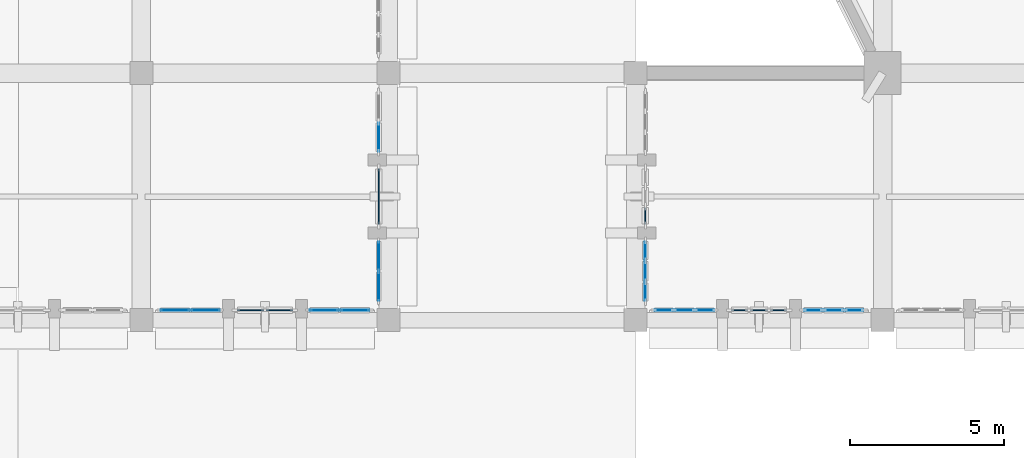
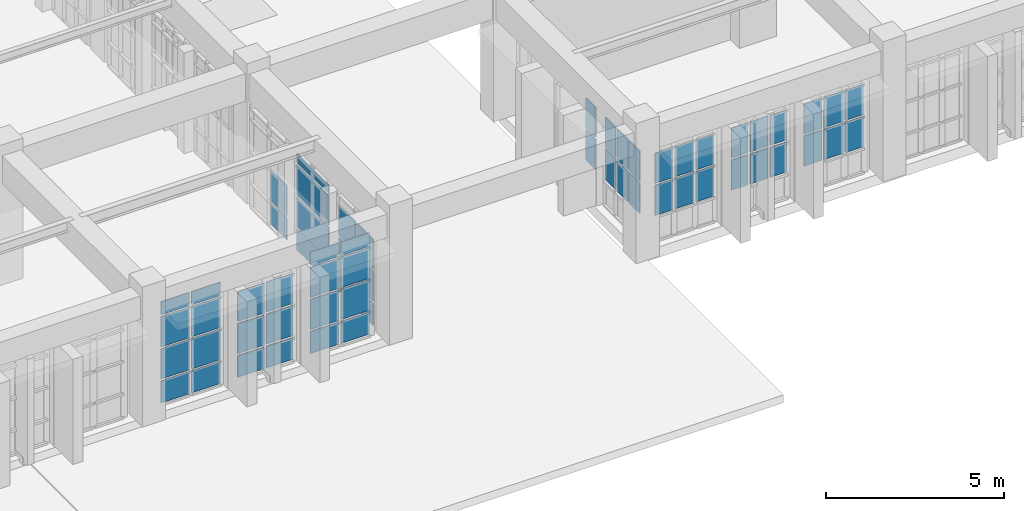
# One storey, part 87 of 155: 60 plates, 11 elements without a shape of their own.
"""IFC4 building model written with IfcOpenShell, lengths in metres."""

from ifc_helpers import new_model, si_unit, direction, frame, origin, origin_2d, place, context, subcontext, project, spatial, rectangle, extrude, material, layer, layer_set, type_object, element, aggregate, save


model = new_model("IFC4")

# Units and contexts
model_context = context("Model", 3, precision=1e-05, world=origin(), true_north=direction((0.0, 1.0)))
body_context = subcontext(model_context, "Body", "Model", "MODEL_VIEW")
ifc_project = project(units=[si_unit("LENGTHUNIT", "METRE"), si_unit("AREAUNIT", "SQUARE_METRE"), si_unit("VOLUMEUNIT", "CUBIC_METRE"), si_unit("PLANEANGLEUNIT", "RADIAN"), si_unit("MASSUNIT", "GRAM", prefix="KILO")], contexts=[model_context])

# Site, building, storey
site_placement = place(None, origin())
site = spatial("IfcSite", under=ifc_project, at=site_placement, CompositionType="ELEMENT")
building_placement = place(site_placement, origin())
building = spatial("IfcBuilding", under=site, at=building_placement, Name="Tazarka Park Arena", CompositionType="ELEMENT")
storey_placement = place(building_placement, frame((0.0, 0.0, 5.39990234375)))
storey = spatial("IfcBuildingStorey", under=building, at=storey_placement, Name="L01", CompositionType="ELEMENT", Elevation=5.39990234375)

# Curtain wall, plates
ifc_material_1 = material(Name="Aluminium and low-e glass", Category="aluminium")
ifc_layer_1 = layer(ifc_material_1, 0.179931640625, Name="Aluminium and low-e glass")
ifc_layer_set_1 = layer_set([ifc_layer_1], Name="Aluminium and low-e glass")
curtain_wall_type_1 = type_object("IfcCurtainWallType", Name="CW-06", PredefinedType="NOTDEFINED", material=ifc_layer_set_1)
curtain_wall_1_placement = place(storey_placement, origin())
curtain_wall_1 = element("IfcCurtainWall", 1, at=curtain_wall_1_placement, inside=storey, type_object=curtain_wall_type_1, Name="Curtain Wall CWA-L01-006", PredefinedType="NOTDEFINED")
ifc_material_2 = material(Name="Double low-e insulated glazing", Category="glass")
ifc_layer_2 = layer(ifc_material_2, 0.028076171875, Name="Double low-e insulated glazing")
ifc_layer_set_2 = layer_set([ifc_layer_2], Name="Double low-e insulated glazing")
plate_type_1 = type_object("IfcPlateType", Name="CWP-01", PredefinedType="CURTAIN_PANEL", material=ifc_layer_set_2)
plate_1_placement = place(storey_placement, frame((58.249755859375, 8.320068359375, 0.8828125), z_axis=(0.0, 0.0, 1.0), x_axis=(-1.0, 0.0, 0.0)))
plate_1 = element("IfcPlate", 2, at=plate_1_placement, type_object=plate_type_1, Name="CW-06 panel 1.2", PredefinedType="CURTAIN_PANEL", context=body_context, shape_type="SweptSolid", body=[
    extrude(rectangle(XDim=0.5869140625, YDim=0.028076171875, at=origin_2d()), origin(), (0.0, 0.0, 1.0), 1.034912109375),
])
plate_2_placement = place(storey_placement, frame((58.249755859375, 8.320068359375, 1.982421875), z_axis=(0.0, 0.0, 1.0), x_axis=(-1.0, 0.0, 0.0)))
plate_2 = element("IfcPlate", 3, at=plate_2_placement, type_object=plate_type_1, Name="CW-06 panel 1.3", PredefinedType="CURTAIN_PANEL", context=body_context, shape_type="SweptSolid", body=[
    extrude(rectangle(XDim=0.5869140625, YDim=0.028076171875, at=origin_2d()), origin(), (0.0, 0.0, 1.0), 1.034912109375),
])
plate_3_placement = place(storey_placement, frame((57.58154296875, 8.320068359375, 0.8828125), z_axis=(0.0, 0.0, 1.0), x_axis=(-1.0, 0.0, 0.0)))
plate_3 = element("IfcPlate", 4, at=plate_3_placement, type_object=plate_type_1, Name="CW-06 panel 2.2", PredefinedType="CURTAIN_PANEL", context=body_context, shape_type="SweptSolid", body=[
    extrude(rectangle(XDim=0.619384765625, YDim=0.028076171875, at=origin_2d()), origin(), (0.0, 0.0, 1.0), 1.034912109375),
])
plate_4_placement = place(storey_placement, frame((57.58154296875, 8.320068359375, 1.982421875), z_axis=(0.0, 0.0, 1.0), x_axis=(-1.0, 0.0, 0.0)))
plate_4 = element("IfcPlate", 5, at=plate_4_placement, type_object=plate_type_1, Name="CW-06 panel 2.3", PredefinedType="CURTAIN_PANEL", context=body_context, shape_type="SweptSolid", body=[
    extrude(rectangle(XDim=0.619384765625, YDim=0.028076171875, at=origin_2d()), origin(), (0.0, 0.0, 1.0), 1.034912109375),
])
plate_5_placement = place(storey_placement, frame((56.91357421875, 8.320068359375, 0.8828125), z_axis=(0.0, 0.0, 1.0), x_axis=(-1.0, 0.0, 0.0)))
plate_5 = element("IfcPlate", 6, at=plate_5_placement, type_object=plate_type_1, Name="CW-06 panel 3.2", PredefinedType="CURTAIN_PANEL", context=body_context, shape_type="SweptSolid", body=[
    extrude(rectangle(XDim=0.5869140625, YDim=0.028076171875, at=origin_2d()), origin(), (0.0, 0.0, 1.0), 1.034912109375),
])
plate_6_placement = place(storey_placement, frame((56.91357421875, 8.320068359375, 1.982421875), z_axis=(0.0, 0.0, 1.0), x_axis=(-1.0, 0.0, 0.0)))
plate_6 = element("IfcPlate", 7, at=plate_6_placement, type_object=plate_type_1, Name="CW-06 panel 3.3", PredefinedType="CURTAIN_PANEL", context=body_context, shape_type="SweptSolid", body=[
    extrude(rectangle(XDim=0.5869140625, YDim=0.028076171875, at=origin_2d()), origin(), (0.0, 0.0, 1.0), 1.034912109375),
])
aggregate(curtain_wall_1, [plate_1, plate_2, plate_3, plate_4, plate_5, plate_6])

ifc_material_3 = material(Name="Aluminium and low-e glass", Category="aluminium")
ifc_layer_3 = layer(ifc_material_3, 0.179931640625, Name="Aluminium and low-e glass")
ifc_layer_set_3 = layer_set([ifc_layer_3], Name="Aluminium and low-e glass")
curtain_wall_type_2 = type_object("IfcCurtainWallType", Name="CW-27", PredefinedType="NOTDEFINED", material=ifc_layer_set_3)
curtain_wall_2_placement = place(storey_placement, origin())
curtain_wall_2 = element("IfcCurtainWall", 8, at=curtain_wall_2_placement, inside=storey, type_object=curtain_wall_type_2, Name="Curtain Wall CWA-L01-087", PredefinedType="NOTDEFINED")
plate_7_placement = place(storey_placement, frame((42.07861328125, 8.320068359375, 0.065185546875), z_axis=(0.0, 0.0, 1.0), x_axis=(-1.0, 0.0, 0.0)))
plate_7 = element("IfcPlate", 9, at=plate_7_placement, type_object=plate_type_1, Name="CW-27 panel 1.1", PredefinedType="CURTAIN_PANEL", context=body_context, shape_type="SweptSolid", body=[
    extrude(rectangle(XDim=0.92919921875, YDim=0.028076171875, at=origin_2d()), origin(), (0.0, 0.0, 1.0), 0.75244140625),
])
plate_8_placement = place(storey_placement, frame((42.07861328125, 8.320068359375, 0.8828125), z_axis=(0.0, 0.0, 1.0), x_axis=(-1.0, 0.0, 0.0)))
plate_8 = element("IfcPlate", 10, at=plate_8_placement, type_object=plate_type_1, Name="CW-27 panel 1.2", PredefinedType="CURTAIN_PANEL", context=body_context, shape_type="SweptSolid", body=[
    extrude(rectangle(XDim=0.92919921875, YDim=0.028076171875, at=origin_2d()), origin(), (0.0, 0.0, 1.0), 1.034912109375),
])
plate_9_placement = place(storey_placement, frame((42.07861328125, 8.320068359375, 1.982421875), z_axis=(0.0, 0.0, 1.0), x_axis=(-1.0, 0.0, 0.0)))
plate_9 = element("IfcPlate", 11, at=plate_9_placement, type_object=plate_type_1, Name="CW-27 panel 1.3", PredefinedType="CURTAIN_PANEL", context=body_context, shape_type="SweptSolid", body=[
    extrude(rectangle(XDim=0.92919921875, YDim=0.028076171875, at=origin_2d()), origin(), (0.0, 0.0, 1.0), 1.034912109375),
])
plate_10_placement = place(storey_placement, frame((42.07861328125, 8.320068359375, 3.08251953125), z_axis=(0.0, 0.0, 1.0), x_axis=(-1.0, 0.0, 0.0)))
plate_10 = element("IfcPlate", 12, at=plate_10_placement, type_object=plate_type_1, Name="CW-27 panel 1.4", PredefinedType="CURTAIN_PANEL", context=body_context, shape_type="SweptSolid", body=[
    extrude(rectangle(XDim=0.92919921875, YDim=0.028076171875, at=origin_2d()), origin(), (0.0, 0.0, 1.0), 0.452392578125),
])
plate_11_placement = place(storey_placement, frame((41.08447265625, 8.320068359375, 0.065185546875), z_axis=(0.0, 0.0, 1.0), x_axis=(-1.0, 0.0, 0.0)))
plate_11 = element("IfcPlate", 13, at=plate_11_placement, type_object=plate_type_1, Name="CW-27 panel 2.1", PredefinedType="CURTAIN_PANEL", context=body_context, shape_type="SweptSolid", body=[
    extrude(rectangle(XDim=0.92919921875, YDim=0.028076171875, at=origin_2d()), origin(), (0.0, 0.0, 1.0), 0.75244140625),
])
plate_12_placement = place(storey_placement, frame((41.08447265625, 8.320068359375, 0.8828125), z_axis=(0.0, 0.0, 1.0), x_axis=(-1.0, 0.0, 0.0)))
plate_12 = element("IfcPlate", 14, at=plate_12_placement, type_object=plate_type_1, Name="CW-27 panel 2.2", PredefinedType="CURTAIN_PANEL", context=body_context, shape_type="SweptSolid", body=[
    extrude(rectangle(XDim=0.92919921875, YDim=0.028076171875, at=origin_2d()), origin(), (0.0, 0.0, 1.0), 1.034912109375),
])
plate_13_placement = place(storey_placement, frame((41.08447265625, 8.320068359375, 1.982421875), z_axis=(0.0, 0.0, 1.0), x_axis=(-1.0, 0.0, 0.0)))
plate_13 = element("IfcPlate", 15, at=plate_13_placement, type_object=plate_type_1, Name="CW-27 panel 2.3", PredefinedType="CURTAIN_PANEL", context=body_context, shape_type="SweptSolid", body=[
    extrude(rectangle(XDim=0.92919921875, YDim=0.028076171875, at=origin_2d()), origin(), (0.0, 0.0, 1.0), 1.034912109375),
])
plate_14_placement = place(storey_placement, frame((41.08447265625, 8.320068359375, 3.08251953125), z_axis=(0.0, 0.0, 1.0), x_axis=(-1.0, 0.0, 0.0)))
plate_14 = element("IfcPlate", 16, at=plate_14_placement, type_object=plate_type_1, Name="CW-27 panel 2.4", PredefinedType="CURTAIN_PANEL", context=body_context, shape_type="SweptSolid", body=[
    extrude(rectangle(XDim=0.92919921875, YDim=0.028076171875, at=origin_2d()), origin(), (0.0, 0.0, 1.0), 0.452392578125),
])
aggregate(curtain_wall_2, [plate_7, plate_8, plate_9, plate_10, plate_11, plate_12, plate_13, plate_14])

ifc_material_4 = material(Name="Aluminium and low-e glass", Category="aluminium")
ifc_layer_4 = layer(ifc_material_4, 0.179931640625, Name="Aluminium and low-e glass")
ifc_layer_set_4 = layer_set([ifc_layer_4], Name="Aluminium and low-e glass")
curtain_wall_type_3 = type_object("IfcCurtainWallType", Name="CW-30", PredefinedType="NOTDEFINED", material=ifc_layer_set_4)
curtain_wall_3_placement = place(storey_placement, origin())
curtain_wall_3 = element("IfcCurtainWall", 17, at=curtain_wall_3_placement, inside=storey, type_object=curtain_wall_type_3, Name="Curtain Wall CWA-L01-090", PredefinedType="NOTDEFINED")
plate_15_placement = place(storey_placement, frame((47.679931640625, 10.07861328125, 0.065185546875), z_axis=(0.0, 0.0, 1.0), x_axis=(0.0, -1.0, 0.0)))
plate_15 = element("IfcPlate", 18, at=plate_15_placement, type_object=plate_type_1, Name="CW-30 panel 1.1", PredefinedType="CURTAIN_PANEL", context=body_context, shape_type="SweptSolid", body=[
    extrude(rectangle(XDim=0.92919921875, YDim=0.028076171875, at=origin_2d()), origin(), (0.0, 0.0, 1.0), 0.75244140625),
])
plate_16_placement = place(storey_placement, frame((47.679931640625, 10.07861328125, 0.8828125), z_axis=(0.0, 0.0, 1.0), x_axis=(0.0, -1.0, 0.0)))
plate_16 = element("IfcPlate", 19, at=plate_16_placement, type_object=plate_type_1, Name="CW-30 panel 1.2", PredefinedType="CURTAIN_PANEL", context=body_context, shape_type="SweptSolid", body=[
    extrude(rectangle(XDim=0.92919921875, YDim=0.028076171875, at=origin_2d()), origin(), (0.0, 0.0, 1.0), 1.034912109375),
])
plate_17_placement = place(storey_placement, frame((47.679931640625, 10.07861328125, 1.982421875), z_axis=(0.0, 0.0, 1.0), x_axis=(0.0, -1.0, 0.0)))
plate_17 = element("IfcPlate", 20, at=plate_17_placement, type_object=plate_type_1, Name="CW-30 panel 1.3", PredefinedType="CURTAIN_PANEL", context=body_context, shape_type="SweptSolid", body=[
    extrude(rectangle(XDim=0.92919921875, YDim=0.028076171875, at=origin_2d()), origin(), (0.0, 0.0, 1.0), 1.034912109375),
])
plate_18_placement = place(storey_placement, frame((47.679931640625, 9.08447265625, 0.065185546875), z_axis=(0.0, 0.0, 1.0), x_axis=(0.0, -1.0, 0.0)))
plate_18 = element("IfcPlate", 21, at=plate_18_placement, type_object=plate_type_1, Name="CW-30 panel 2.1", PredefinedType="CURTAIN_PANEL", context=body_context, shape_type="SweptSolid", body=[
    extrude(rectangle(XDim=0.92919921875, YDim=0.028076171875, at=origin_2d()), origin(), (0.0, 0.0, 1.0), 0.75244140625),
])
plate_19_placement = place(storey_placement, frame((47.679931640625, 9.08447265625, 0.8828125), z_axis=(0.0, 0.0, 1.0), x_axis=(0.0, -1.0, 0.0)))
plate_19 = element("IfcPlate", 22, at=plate_19_placement, type_object=plate_type_1, Name="CW-30 panel 2.2", PredefinedType="CURTAIN_PANEL", context=body_context, shape_type="SweptSolid", body=[
    extrude(rectangle(XDim=0.92919921875, YDim=0.028076171875, at=origin_2d()), origin(), (0.0, 0.0, 1.0), 1.034912109375),
])
plate_20_placement = place(storey_placement, frame((47.679931640625, 9.08447265625, 1.982421875), z_axis=(0.0, 0.0, 1.0), x_axis=(0.0, -1.0, 0.0)))
plate_20 = element("IfcPlate", 23, at=plate_20_placement, type_object=plate_type_1, Name="CW-30 panel 2.3", PredefinedType="CURTAIN_PANEL", context=body_context, shape_type="SweptSolid", body=[
    extrude(rectangle(XDim=0.92919921875, YDim=0.028076171875, at=origin_2d()), origin(), (0.0, 0.0, 1.0), 1.034912109375),
])
aggregate(curtain_wall_3, [plate_15, plate_16, plate_17, plate_18, plate_19, plate_20])

ifc_material_5 = material(Name="Aluminium and low-e glass", Category="aluminium")
ifc_layer_5 = layer(ifc_material_5, 0.179931640625, Name="Aluminium and low-e glass")
ifc_layer_set_5 = layer_set([ifc_layer_5], Name="Aluminium and low-e glass")
curtain_wall_type_4 = type_object("IfcCurtainWallType", Name="CW-01", PredefinedType="NOTDEFINED", material=ifc_layer_set_5)
curtain_wall_4_placement = place(storey_placement, origin())
curtain_wall_4 = element("IfcCurtainWall", 24, at=curtain_wall_4_placement, inside=storey, type_object=curtain_wall_type_4, Name="Curtain Wall CWA-L01-001", PredefinedType="NOTDEFINED")
ifc_material_6 = material(Name="Triple acoustic solar glazing", Category="glass")
ifc_layer_6 = layer(ifc_material_6, 0.031982421875, Name="Triple acoustic solar glazing")
ifc_layer_set_6 = layer_set([ifc_layer_6], Name="Triple acoustic solar glazing")
plate_type_2 = type_object("IfcPlateType", Name="CWP-02", PredefinedType="CURTAIN_PANEL", material=ifc_layer_set_6)
plate_21_placement = place(storey_placement, frame((56.320068359375, 8.91357421875, 0.8828125), z_axis=(0.0, 0.0, 1.0), x_axis=(0.0, 1.0, 0.0)))
plate_21 = element("IfcPlate", 25, at=plate_21_placement, type_object=plate_type_2, Name="CW-01 panel 1.2", PredefinedType="CURTAIN_PANEL", context=body_context, shape_type="SweptSolid", body=[
    extrude(rectangle(XDim=0.5869140625, YDim=0.031982421875, at=origin_2d()), origin(), (0.0, 0.0, 1.0), 1.034912109375),
])
plate_22_placement = place(storey_placement, frame((56.320068359375, 8.91357421875, 1.982421875), z_axis=(0.0, 0.0, 1.0), x_axis=(0.0, 1.0, 0.0)))
plate_22 = element("IfcPlate", 26, at=plate_22_placement, type_object=plate_type_2, Name="CW-01 panel 1.3", PredefinedType="CURTAIN_PANEL", context=body_context, shape_type="SweptSolid", body=[
    extrude(rectangle(XDim=0.5869140625, YDim=0.031982421875, at=origin_2d()), origin(), (0.0, 0.0, 1.0), 1.034912109375),
])
plate_23_placement = place(storey_placement, frame((56.320068359375, 9.58154296875, 0.8828125), z_axis=(0.0, 0.0, 1.0), x_axis=(0.0, 1.0, 0.0)))
plate_23 = element("IfcPlate", 27, at=plate_23_placement, type_object=plate_type_2, Name="CW-01 panel 2.2", PredefinedType="CURTAIN_PANEL", context=body_context, shape_type="SweptSolid", body=[
    extrude(rectangle(XDim=0.619384765625, YDim=0.031982421875, at=origin_2d()), origin(), (0.0, 0.0, 1.0), 1.034912109375),
])
plate_24_placement = place(storey_placement, frame((56.320068359375, 9.58154296875, 1.982421875), z_axis=(0.0, 0.0, 1.0), x_axis=(0.0, 1.0, 0.0)))
plate_24 = element("IfcPlate", 28, at=plate_24_placement, type_object=plate_type_2, Name="CW-01 panel 2.3", PredefinedType="CURTAIN_PANEL", context=body_context, shape_type="SweptSolid", body=[
    extrude(rectangle(XDim=0.619384765625, YDim=0.031982421875, at=origin_2d()), origin(), (0.0, 0.0, 1.0), 1.034912109375),
])
plate_25_placement = place(storey_placement, frame((56.320068359375, 10.249755859375, 0.8828125), z_axis=(0.0, 0.0, 1.0), x_axis=(0.0, 1.0, 0.0)))
plate_25 = element("IfcPlate", 29, at=plate_25_placement, type_object=plate_type_2, Name="CW-01 panel 3.2", PredefinedType="CURTAIN_PANEL", context=body_context, shape_type="SweptSolid", body=[
    extrude(rectangle(XDim=0.5869140625, YDim=0.031982421875, at=origin_2d()), origin(), (0.0, 0.0, 1.0), 1.034912109375),
])
plate_26_placement = place(storey_placement, frame((56.320068359375, 10.249755859375, 1.982421875), z_axis=(0.0, 0.0, 1.0), x_axis=(0.0, 1.0, 0.0)))
plate_26 = element("IfcPlate", 30, at=plate_26_placement, type_object=plate_type_2, Name="CW-01 panel 3.3", PredefinedType="CURTAIN_PANEL", context=body_context, shape_type="SweptSolid", body=[
    extrude(rectangle(XDim=0.5869140625, YDim=0.031982421875, at=origin_2d()), origin(), (0.0, 0.0, 1.0), 1.034912109375),
])
aggregate(curtain_wall_4, [plate_21, plate_22, plate_23, plate_24, plate_25, plate_26])

ifc_material_7 = material(Name="Aluminium and low-e glass", Category="aluminium")
ifc_layer_7 = layer(ifc_material_7, 0.179931640625, Name="Aluminium and low-e glass")
ifc_layer_set_7 = layer_set([ifc_layer_7], Name="Aluminium and low-e glass")
curtain_wall_type_5 = type_object("IfcCurtainWallType", Name="CW-04", PredefinedType="NOTDEFINED", material=ifc_layer_set_7)
curtain_wall_5_placement = place(storey_placement, origin())
curtain_wall_5 = element("IfcCurtainWall", 31, at=curtain_wall_5_placement, inside=storey, type_object=curtain_wall_type_5, Name="Curtain Wall CWA-L01-004", PredefinedType="NOTDEFINED")
plate_27_placement = place(storey_placement, frame((63.08642578125, 8.320068359375, 0.8828125), z_axis=(0.0, 0.0, 1.0), x_axis=(-1.0, 0.0, 0.0)))
plate_27 = element("IfcPlate", 32, at=plate_27_placement, type_object=plate_type_2, Name="CW-04 panel 1.2", PredefinedType="CURTAIN_PANEL", context=body_context, shape_type="SweptSolid", body=[
    extrude(rectangle(XDim=0.5869140625, YDim=0.031982421875, at=origin_2d()), origin(), (0.0, 0.0, 1.0), 1.034912109375),
])
plate_28_placement = place(storey_placement, frame((63.08642578125, 8.320068359375, 1.982421875), z_axis=(0.0, 0.0, 1.0), x_axis=(-1.0, 0.0, 0.0)))
plate_28 = element("IfcPlate", 33, at=plate_28_placement, type_object=plate_type_2, Name="CW-04 panel 1.3", PredefinedType="CURTAIN_PANEL", context=body_context, shape_type="SweptSolid", body=[
    extrude(rectangle(XDim=0.5869140625, YDim=0.031982421875, at=origin_2d()), origin(), (0.0, 0.0, 1.0), 1.034912109375),
])
plate_29_placement = place(storey_placement, frame((62.41845703125, 8.320068359375, 0.8828125), z_axis=(0.0, 0.0, 1.0), x_axis=(-1.0, 0.0, 0.0)))
plate_29 = element("IfcPlate", 34, at=plate_29_placement, type_object=plate_type_2, Name="CW-04 panel 2.2", PredefinedType="CURTAIN_PANEL", context=body_context, shape_type="SweptSolid", body=[
    extrude(rectangle(XDim=0.619384765625, YDim=0.031982421875, at=origin_2d()), origin(), (0.0, 0.0, 1.0), 1.034912109375),
])
plate_30_placement = place(storey_placement, frame((62.41845703125, 8.320068359375, 1.982421875), z_axis=(0.0, 0.0, 1.0), x_axis=(-1.0, 0.0, 0.0)))
plate_30 = element("IfcPlate", 35, at=plate_30_placement, type_object=plate_type_2, Name="CW-04 panel 2.3", PredefinedType="CURTAIN_PANEL", context=body_context, shape_type="SweptSolid", body=[
    extrude(rectangle(XDim=0.619384765625, YDim=0.031982421875, at=origin_2d()), origin(), (0.0, 0.0, 1.0), 1.034912109375),
])
plate_31_placement = place(storey_placement, frame((61.750244140625, 8.320068359375, 0.8828125), z_axis=(0.0, 0.0, 1.0), x_axis=(-1.0, 0.0, 0.0)))
plate_31 = element("IfcPlate", 36, at=plate_31_placement, type_object=plate_type_2, Name="CW-04 panel 3.2", PredefinedType="CURTAIN_PANEL", context=body_context, shape_type="SweptSolid", body=[
    extrude(rectangle(XDim=0.5869140625, YDim=0.031982421875, at=origin_2d()), origin(), (0.0, 0.0, 1.0), 1.034912109375),
])
plate_32_placement = place(storey_placement, frame((61.750244140625, 8.320068359375, 1.982421875), z_axis=(0.0, 0.0, 1.0), x_axis=(-1.0, 0.0, 0.0)))
plate_32 = element("IfcPlate", 37, at=plate_32_placement, type_object=plate_type_2, Name="CW-04 panel 3.3", PredefinedType="CURTAIN_PANEL", context=body_context, shape_type="SweptSolid", body=[
    extrude(rectangle(XDim=0.5869140625, YDim=0.031982421875, at=origin_2d()), origin(), (0.0, 0.0, 1.0), 1.034912109375),
])
aggregate(curtain_wall_5, [plate_27, plate_28, plate_29, plate_30, plate_31, plate_32])

ifc_material_8 = material(Name="Aluminium and low-e glass", Category="aluminium")
ifc_layer_8 = layer(ifc_material_8, 0.179931640625, Name="Aluminium and low-e glass")
ifc_layer_set_8 = layer_set([ifc_layer_8], Name="Aluminium and low-e glass")
curtain_wall_type_6 = type_object("IfcCurtainWallType", Name="CW-25", PredefinedType="NOTDEFINED", material=ifc_layer_set_8)
curtain_wall_6_placement = place(storey_placement, origin())
curtain_wall_6 = element("IfcCurtainWall", 38, at=curtain_wall_6_placement, inside=storey, type_object=curtain_wall_type_6, Name="Curtain Wall CWA-L01-085", PredefinedType="NOTDEFINED")
plate_33_placement = place(storey_placement, frame((46.91552734375, 8.320068359375, 0.065185546875), z_axis=(0.0, 0.0, 1.0), x_axis=(-1.0, 0.0, 0.0)))
plate_33 = element("IfcPlate", 39, at=plate_33_placement, type_object=plate_type_2, Name="CW-25 panel 1.1", PredefinedType="CURTAIN_PANEL", context=body_context, shape_type="SweptSolid", body=[
    extrude(rectangle(XDim=0.92919921875, YDim=0.031982421875, at=origin_2d()), origin(), (0.0, 0.0, 1.0), 0.75244140625),
])
plate_34_placement = place(storey_placement, frame((46.91552734375, 8.320068359375, 0.8828125), z_axis=(0.0, 0.0, 1.0), x_axis=(-1.0, 0.0, 0.0)))
plate_34 = element("IfcPlate", 40, at=plate_34_placement, type_object=plate_type_2, Name="CW-25 panel 1.2", PredefinedType="CURTAIN_PANEL", context=body_context, shape_type="SweptSolid", body=[
    extrude(rectangle(XDim=0.92919921875, YDim=0.031982421875, at=origin_2d()), origin(), (0.0, 0.0, 1.0), 1.034912109375),
])
plate_35_placement = place(storey_placement, frame((46.91552734375, 8.320068359375, 1.982421875), z_axis=(0.0, 0.0, 1.0), x_axis=(-1.0, 0.0, 0.0)))
plate_35 = element("IfcPlate", 41, at=plate_35_placement, type_object=plate_type_2, Name="CW-25 panel 1.3", PredefinedType="CURTAIN_PANEL", context=body_context, shape_type="SweptSolid", body=[
    extrude(rectangle(XDim=0.92919921875, YDim=0.031982421875, at=origin_2d()), origin(), (0.0, 0.0, 1.0), 1.034912109375),
])
plate_36_placement = place(storey_placement, frame((46.91552734375, 8.320068359375, 3.08251953125), z_axis=(0.0, 0.0, 1.0), x_axis=(-1.0, 0.0, 0.0)))
plate_36 = element("IfcPlate", 42, at=plate_36_placement, type_object=plate_type_2, Name="CW-25 panel 1.4", PredefinedType="CURTAIN_PANEL", context=body_context, shape_type="SweptSolid", body=[
    extrude(rectangle(XDim=0.92919921875, YDim=0.031982421875, at=origin_2d()), origin(), (0.0, 0.0, 1.0), 0.452392578125),
])
plate_37_placement = place(storey_placement, frame((45.92138671875, 8.320068359375, 0.065185546875), z_axis=(0.0, 0.0, 1.0), x_axis=(-1.0, 0.0, 0.0)))
plate_37 = element("IfcPlate", 43, at=plate_37_placement, type_object=plate_type_2, Name="CW-25 panel 2.1", PredefinedType="CURTAIN_PANEL", context=body_context, shape_type="SweptSolid", body=[
    extrude(rectangle(XDim=0.92919921875, YDim=0.031982421875, at=origin_2d()), origin(), (0.0, 0.0, 1.0), 0.75244140625),
])
plate_38_placement = place(storey_placement, frame((45.92138671875, 8.320068359375, 0.8828125), z_axis=(0.0, 0.0, 1.0), x_axis=(-1.0, 0.0, 0.0)))
plate_38 = element("IfcPlate", 44, at=plate_38_placement, type_object=plate_type_2, Name="CW-25 panel 2.2", PredefinedType="CURTAIN_PANEL", context=body_context, shape_type="SweptSolid", body=[
    extrude(rectangle(XDim=0.92919921875, YDim=0.031982421875, at=origin_2d()), origin(), (0.0, 0.0, 1.0), 1.034912109375),
])
plate_39_placement = place(storey_placement, frame((45.92138671875, 8.320068359375, 1.982421875), z_axis=(0.0, 0.0, 1.0), x_axis=(-1.0, 0.0, 0.0)))
plate_39 = element("IfcPlate", 45, at=plate_39_placement, type_object=plate_type_2, Name="CW-25 panel 2.3", PredefinedType="CURTAIN_PANEL", context=body_context, shape_type="SweptSolid", body=[
    extrude(rectangle(XDim=0.92919921875, YDim=0.031982421875, at=origin_2d()), origin(), (0.0, 0.0, 1.0), 1.034912109375),
])
plate_40_placement = place(storey_placement, frame((45.92138671875, 8.320068359375, 3.08251953125), z_axis=(0.0, 0.0, 1.0), x_axis=(-1.0, 0.0, 0.0)))
plate_40 = element("IfcPlate", 46, at=plate_40_placement, type_object=plate_type_2, Name="CW-25 panel 2.4", PredefinedType="CURTAIN_PANEL", context=body_context, shape_type="SweptSolid", body=[
    extrude(rectangle(XDim=0.92919921875, YDim=0.031982421875, at=origin_2d()), origin(), (0.0, 0.0, 1.0), 0.452392578125),
])
aggregate(curtain_wall_6, [plate_33, plate_34, plate_35, plate_36, plate_37, plate_38, plate_39, plate_40])

ifc_material_9 = material(Name="Aluminium and low-e glass", Category="aluminium")
ifc_layer_9 = layer(ifc_material_9, 0.179931640625, Name="Aluminium and low-e glass")
ifc_layer_set_9 = layer_set([ifc_layer_9], Name="Aluminium and low-e glass")
curtain_wall_type_7 = type_object("IfcCurtainWallType", Name="CW-28", PredefinedType="NOTDEFINED", material=ifc_layer_set_9)
curtain_wall_7_placement = place(storey_placement, origin())
curtain_wall_7 = element("IfcCurtainWall", 47, at=curtain_wall_7_placement, inside=storey, type_object=curtain_wall_type_7, Name="Curtain Wall CWA-L01-088", PredefinedType="NOTDEFINED")
plate_41_placement = place(storey_placement, frame((47.679931640625, 13.92138671875, 0.065185546875), z_axis=(0.0, 0.0, 1.0), x_axis=(0.0, -1.0, 0.0)))
plate_41 = element("IfcPlate", 48, at=plate_41_placement, type_object=plate_type_2, Name="CW-28 panel 2.1", PredefinedType="CURTAIN_PANEL", context=body_context, shape_type="SweptSolid", body=[
    extrude(rectangle(XDim=0.92919921875, YDim=0.031982421875, at=origin_2d()), origin(), (0.0, 0.0, 1.0), 0.75244140625),
])
plate_42_placement = place(storey_placement, frame((47.679931640625, 13.92138671875, 0.8828125), z_axis=(0.0, 0.0, 1.0), x_axis=(0.0, -1.0, 0.0)))
plate_42 = element("IfcPlate", 49, at=plate_42_placement, type_object=plate_type_2, Name="CW-28 panel 2.2", PredefinedType="CURTAIN_PANEL", context=body_context, shape_type="SweptSolid", body=[
    extrude(rectangle(XDim=0.92919921875, YDim=0.031982421875, at=origin_2d()), origin(), (0.0, 0.0, 1.0), 1.034912109375),
])
aggregate(curtain_wall_7, [plate_41, plate_42])

ifc_material_10 = material(Name="Aluminium and low-e glass", Category="aluminium")
ifc_layer_10 = layer(ifc_material_10, 0.179931640625, Name="Aluminium and low-e glass")
ifc_layer_set_10 = layer_set([ifc_layer_10], Name="Aluminium and low-e glass")
curtain_wall_type_8 = type_object("IfcCurtainWallType", Name="CW-02", PredefinedType="NOTDEFINED", material=ifc_layer_set_10)
curtain_wall_8_placement = place(storey_placement, origin())
curtain_wall_8 = element("IfcCurtainWall", 50, at=curtain_wall_8_placement, inside=storey, type_object=curtain_wall_type_8, Name="Curtain Wall CWA-L01-002", PredefinedType="NOTDEFINED")
ifc_material_11 = material(Name="Insulated aluminium spandrel panel", Category="aluminium")
ifc_layer_11 = layer(ifc_material_11, 0.035888671875, Name="Insulated aluminium spandrel panel")
ifc_layer_set_11 = layer_set([ifc_layer_11], Name="Insulated aluminium spandrel panel")
plate_type_3 = type_object("IfcPlateType", Name="CWP-03", PredefinedType="CURTAIN_PANEL", material=ifc_layer_set_11)
plate_43_placement = place(storey_placement, frame((56.320068359375, 11.370849609375, 0.8876953125), z_axis=(0.0, 0.0, 1.0), x_axis=(0.0, 1.0, 0.0)))
plate_43 = element("IfcPlate", 51, at=plate_43_placement, type_object=plate_type_3, Name="CW-02 panel 1.2", PredefinedType="CURTAIN_PANEL", context=body_context, shape_type="SweptSolid", body=[
    extrude(rectangle(XDim=0.535400390625, YDim=0.035888671875, at=origin_2d()), origin(), (0.0, 0.0, 1.0), 1.02490234375),
])
plate_44_placement = place(storey_placement, frame((56.320068359375, 11.370849609375, 1.987548828125), z_axis=(0.0, 0.0, 1.0), x_axis=(0.0, 1.0, 0.0)))
plate_44 = element("IfcPlate", 52, at=plate_44_placement, type_object=plate_type_3, Name="CW-02 panel 1.3", PredefinedType="CURTAIN_PANEL", context=body_context, shape_type="SweptSolid", body=[
    extrude(rectangle(XDim=0.535400390625, YDim=0.035888671875, at=origin_2d()), origin(), (0.0, 0.0, 1.0), 1.02490234375),
])
aggregate(curtain_wall_8, [plate_43, plate_44])

ifc_material_12 = material(Name="Aluminium and low-e glass", Category="aluminium")
ifc_layer_12 = layer(ifc_material_12, 0.179931640625, Name="Aluminium and low-e glass")
ifc_layer_set_12 = layer_set([ifc_layer_12], Name="Aluminium and low-e glass")
curtain_wall_type_9 = type_object("IfcCurtainWallType", Name="CW-05", PredefinedType="NOTDEFINED", material=ifc_layer_set_12)
curtain_wall_9_placement = place(storey_placement, origin())
curtain_wall_9 = element("IfcCurtainWall", 53, at=curtain_wall_9_placement, inside=storey, type_object=curtain_wall_type_9, Name="Curtain Wall CWA-L01-005", PredefinedType="NOTDEFINED")
plate_45_placement = place(storey_placement, frame((60.629150390625, 8.320068359375, 0.8876953125), z_axis=(0.0, 0.0, 1.0), x_axis=(-1.0, 0.0, 0.0)))
plate_45 = element("IfcPlate", 54, at=plate_45_placement, type_object=plate_type_3, Name="CW-05 panel 1.2", PredefinedType="CURTAIN_PANEL", context=body_context, shape_type="SweptSolid", body=[
    extrude(rectangle(XDim=0.535400390625, YDim=0.035888671875, at=origin_2d()), origin(), (0.0, 0.0, 1.0), 1.02490234375),
])
plate_46_placement = place(storey_placement, frame((60.629150390625, 8.320068359375, 1.987548828125), z_axis=(0.0, 0.0, 1.0), x_axis=(-1.0, 0.0, 0.0)))
plate_46 = element("IfcPlate", 55, at=plate_46_placement, type_object=plate_type_3, Name="CW-05 panel 1.3", PredefinedType="CURTAIN_PANEL", context=body_context, shape_type="SweptSolid", body=[
    extrude(rectangle(XDim=0.535400390625, YDim=0.035888671875, at=origin_2d()), origin(), (0.0, 0.0, 1.0), 1.02490234375),
])
plate_47_placement = place(storey_placement, frame((60.0, 8.320068359375, 0.8876953125), z_axis=(0.0, 0.0, 1.0), x_axis=(-1.0, 0.0, 0.0)))
plate_47 = element("IfcPlate", 56, at=plate_47_placement, type_object=plate_type_3, Name="CW-05 panel 2.2", PredefinedType="CURTAIN_PANEL", context=body_context, shape_type="SweptSolid", body=[
    extrude(rectangle(XDim=0.57275390625, YDim=0.035888671875, at=origin_2d()), origin(), (0.0, 0.0, 1.0), 1.02490234375),
])
plate_48_placement = place(storey_placement, frame((60.0, 8.320068359375, 1.987548828125), z_axis=(0.0, 0.0, 1.0), x_axis=(-1.0, 0.0, 0.0)))
plate_48 = element("IfcPlate", 57, at=plate_48_placement, type_object=plate_type_3, Name="CW-05 panel 2.3", PredefinedType="CURTAIN_PANEL", context=body_context, shape_type="SweptSolid", body=[
    extrude(rectangle(XDim=0.57275390625, YDim=0.035888671875, at=origin_2d()), origin(), (0.0, 0.0, 1.0), 1.02490234375),
])
plate_49_placement = place(storey_placement, frame((59.370849609375, 8.320068359375, 0.8876953125), z_axis=(0.0, 0.0, 1.0), x_axis=(-1.0, 0.0, 0.0)))
plate_49 = element("IfcPlate", 58, at=plate_49_placement, type_object=plate_type_3, Name="CW-05 panel 3.2", PredefinedType="CURTAIN_PANEL", context=body_context, shape_type="SweptSolid", body=[
    extrude(rectangle(XDim=0.535400390625, YDim=0.035888671875, at=origin_2d()), origin(), (0.0, 0.0, 1.0), 1.02490234375),
])
plate_50_placement = place(storey_placement, frame((59.370849609375, 8.320068359375, 1.987548828125), z_axis=(0.0, 0.0, 1.0), x_axis=(-1.0, 0.0, 0.0)))
plate_50 = element("IfcPlate", 59, at=plate_50_placement, type_object=plate_type_3, Name="CW-05 panel 3.3", PredefinedType="CURTAIN_PANEL", context=body_context, shape_type="SweptSolid", body=[
    extrude(rectangle(XDim=0.535400390625, YDim=0.035888671875, at=origin_2d()), origin(), (0.0, 0.0, 1.0), 1.02490234375),
])
aggregate(curtain_wall_9, [plate_45, plate_46, plate_47, plate_48, plate_49, plate_50])

ifc_material_13 = material(Name="Aluminium and low-e glass", Category="aluminium")
ifc_layer_13 = layer(ifc_material_13, 0.179931640625, Name="Aluminium and low-e glass")
ifc_layer_set_13 = layer_set([ifc_layer_13], Name="Aluminium and low-e glass")
curtain_wall_type_10 = type_object("IfcCurtainWallType", Name="CW-26", PredefinedType="NOTDEFINED", material=ifc_layer_set_13)
curtain_wall_10_placement = place(storey_placement, origin())
curtain_wall_10 = element("IfcCurtainWall", 60, at=curtain_wall_10_placement, inside=storey, type_object=curtain_wall_type_10, Name="Curtain Wall CWA-L01-086", PredefinedType="NOTDEFINED")
plate_51_placement = place(storey_placement, frame((44.467041015625, 8.320068359375, 0.0751953125), z_axis=(0.0, 0.0, 1.0), x_axis=(-1.0, 0.0, 0.0)))
plate_51 = element("IfcPlate", 61, at=plate_51_placement, type_object=plate_type_3, Name="CW-26 panel 1.1", PredefinedType="CURTAIN_PANEL", context=body_context, shape_type="SweptSolid", body=[
    extrude(rectangle(XDim=0.859130859375, YDim=0.035888671875, at=origin_2d()), origin(), (0.0, 0.0, 1.0), 0.737548828125),
])
plate_52_placement = place(storey_placement, frame((44.467041015625, 8.320068359375, 0.8876953125), z_axis=(0.0, 0.0, 1.0), x_axis=(-1.0, 0.0, 0.0)))
plate_52 = element("IfcPlate", 62, at=plate_52_placement, type_object=plate_type_3, Name="CW-26 panel 1.2", PredefinedType="CURTAIN_PANEL", context=body_context, shape_type="SweptSolid", body=[
    extrude(rectangle(XDim=0.859130859375, YDim=0.035888671875, at=origin_2d()), origin(), (0.0, 0.0, 1.0), 1.02490234375),
])
plate_53_placement = place(storey_placement, frame((44.467041015625, 8.320068359375, 1.987548828125), z_axis=(0.0, 0.0, 1.0), x_axis=(-1.0, 0.0, 0.0)))
plate_53 = element("IfcPlate", 63, at=plate_53_placement, type_object=plate_type_3, Name="CW-26 panel 1.3", PredefinedType="CURTAIN_PANEL", context=body_context, shape_type="SweptSolid", body=[
    extrude(rectangle(XDim=0.859130859375, YDim=0.035888671875, at=origin_2d()), origin(), (0.0, 0.0, 1.0), 1.02490234375),
])
plate_54_placement = place(storey_placement, frame((43.532958984375, 8.320068359375, 0.0751953125), z_axis=(0.0, 0.0, 1.0), x_axis=(-1.0, 0.0, 0.0)))
plate_54 = element("IfcPlate", 64, at=plate_54_placement, type_object=plate_type_3, Name="CW-26 panel 2.1", PredefinedType="CURTAIN_PANEL", context=body_context, shape_type="SweptSolid", body=[
    extrude(rectangle(XDim=0.859130859375, YDim=0.035888671875, at=origin_2d()), origin(), (0.0, 0.0, 1.0), 0.737548828125),
])
plate_55_placement = place(storey_placement, frame((43.532958984375, 8.320068359375, 0.8876953125), z_axis=(0.0, 0.0, 1.0), x_axis=(-1.0, 0.0, 0.0)))
plate_55 = element("IfcPlate", 65, at=plate_55_placement, type_object=plate_type_3, Name="CW-26 panel 2.2", PredefinedType="CURTAIN_PANEL", context=body_context, shape_type="SweptSolid", body=[
    extrude(rectangle(XDim=0.859130859375, YDim=0.035888671875, at=origin_2d()), origin(), (0.0, 0.0, 1.0), 1.02490234375),
])
plate_56_placement = place(storey_placement, frame((43.532958984375, 8.320068359375, 1.987548828125), z_axis=(0.0, 0.0, 1.0), x_axis=(-1.0, 0.0, 0.0)))
plate_56 = element("IfcPlate", 66, at=plate_56_placement, type_object=plate_type_3, Name="CW-26 panel 2.3", PredefinedType="CURTAIN_PANEL", context=body_context, shape_type="SweptSolid", body=[
    extrude(rectangle(XDim=0.859130859375, YDim=0.035888671875, at=origin_2d()), origin(), (0.0, 0.0, 1.0), 1.02490234375),
])
aggregate(curtain_wall_10, [plate_51, plate_52, plate_53, plate_54, plate_55, plate_56])

ifc_material_14 = material(Name="Aluminium and low-e glass", Category="aluminium")
ifc_layer_14 = layer(ifc_material_14, 0.179931640625, Name="Aluminium and low-e glass")
ifc_layer_set_14 = layer_set([ifc_layer_14], Name="Aluminium and low-e glass")
curtain_wall_type_11 = type_object("IfcCurtainWallType", Name="CW-29", PredefinedType="NOTDEFINED", material=ifc_layer_set_14)
curtain_wall_11_placement = place(storey_placement, origin())
curtain_wall_11 = element("IfcCurtainWall", 67, at=curtain_wall_11_placement, inside=storey, type_object=curtain_wall_type_11, Name="Curtain Wall CWA-L01-089", PredefinedType="NOTDEFINED")
plate_57_placement = place(storey_placement, frame((47.679931640625, 12.0, 0.0751953125), z_axis=(0.0, 0.0, 1.0), x_axis=(0.0, -1.0, 0.0)))
plate_57 = element("IfcPlate", 68, at=plate_57_placement, type_object=plate_type_3, Name="CW-29 panel 1.1", PredefinedType="CURTAIN_PANEL", context=body_context, shape_type="SweptSolid", body=[
    extrude(rectangle(XDim=1.79345703125, YDim=0.035888671875, at=origin_2d()), origin(), (0.0, 0.0, 1.0), 0.737548828125),
])
plate_58_placement = place(storey_placement, frame((47.679931640625, 12.0, 0.8876953125), z_axis=(0.0, 0.0, 1.0), x_axis=(0.0, -1.0, 0.0)))
plate_58 = element("IfcPlate", 69, at=plate_58_placement, type_object=plate_type_3, Name="CW-29 panel 1.2", PredefinedType="CURTAIN_PANEL", context=body_context, shape_type="SweptSolid", body=[
    extrude(rectangle(XDim=1.79345703125, YDim=0.035888671875, at=origin_2d()), origin(), (0.0, 0.0, 1.0), 1.02490234375),
])
plate_59_placement = place(storey_placement, frame((47.679931640625, 12.0, 1.987548828125), z_axis=(0.0, 0.0, 1.0), x_axis=(0.0, -1.0, 0.0)))
plate_59 = element("IfcPlate", 70, at=plate_59_placement, type_object=plate_type_3, Name="CW-29 panel 1.3", PredefinedType="CURTAIN_PANEL", context=body_context, shape_type="SweptSolid", body=[
    extrude(rectangle(XDim=1.79345703125, YDim=0.035888671875, at=origin_2d()), origin(), (0.0, 0.0, 1.0), 1.02490234375),
])
plate_60_placement = place(storey_placement, frame((47.679931640625, 12.0, 3.087646484375), z_axis=(0.0, 0.0, 1.0), x_axis=(0.0, -1.0, 0.0)))
plate_60 = element("IfcPlate", 71, at=plate_60_placement, type_object=plate_type_3, Name="CW-29 panel 1.4", PredefinedType="CURTAIN_PANEL", context=body_context, shape_type="SweptSolid", body=[
    extrude(rectangle(XDim=1.79345703125, YDim=0.035888671875, at=origin_2d()), origin(), (0.0, 0.0, 1.0), 0.28759765625),
])
aggregate(curtain_wall_11, [plate_57, plate_58, plate_59, plate_60])

save(model, "model.ifc")
